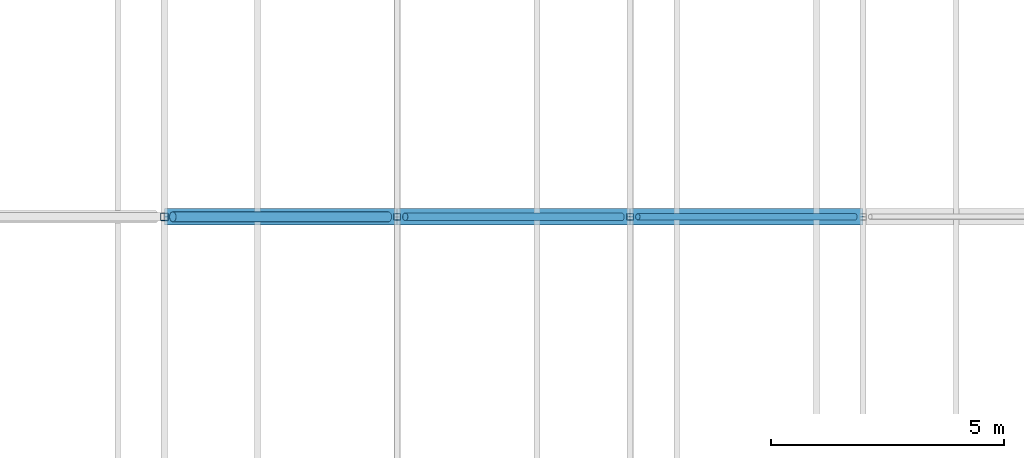
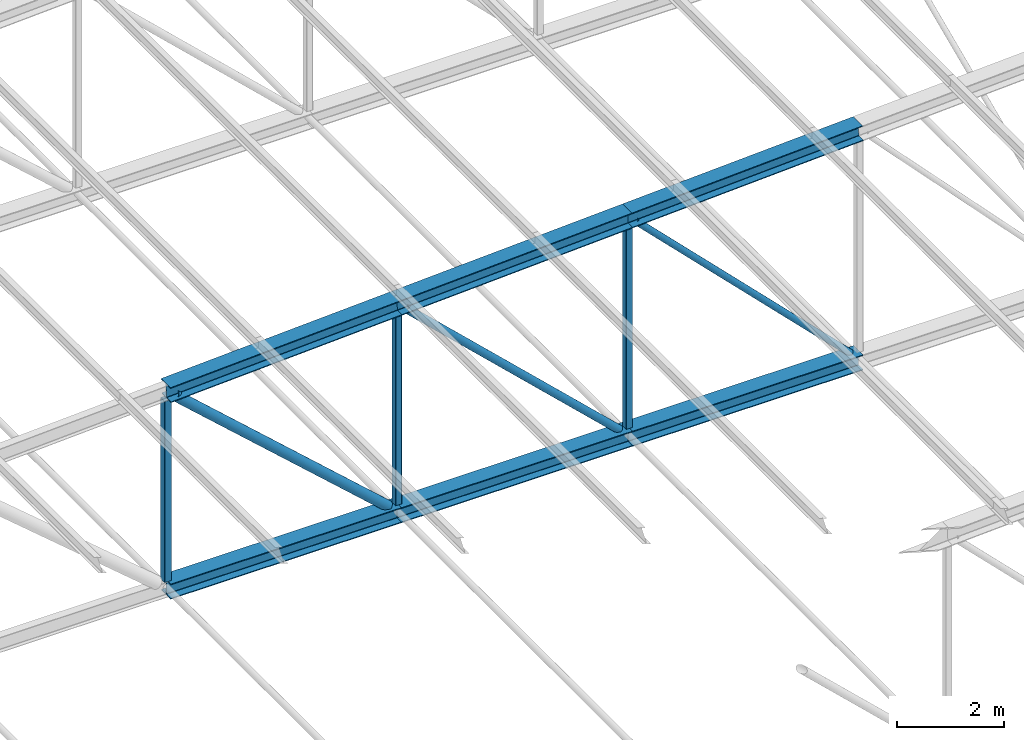
# One storey, part 28 of 156: 12 members.
"""IFC4 building model written with IfcOpenShell, lengths in metres."""

import ifcopenshell
import ifcopenshell.guid

model = None  # the IFC model being written
_history = None  # IfcOwnerHistory: only IFC2X3 demands one
_inside = {}  # id of a spatial element -> (the spatial element, [elements in it])
_under = {}  # id of a project, library or spatial element -> (it, [spatial elements below it])
_declared = {}  # id of a project -> (the project, [libraries it declares])
_typed = {}  # id of a type object -> (the type object, [elements of that type])
_made_of = {}  # id of a material, layer set ... -> (it, [elements and type objects made of it])


def new_model(schema):
    """Start an empty IFC model of exactly this schema.

    Asked for "IFC4X3", IfcOpenShell would pick the latest addendum, in which some entities
    have other attributes; the version numbers below select the first issue.
    IFC2X3 requires an IfcOwnerHistory on every rooted entity: one is made here for all.
    """
    global model, _history
    if schema == "IFC4X3":
        model = ifcopenshell.file(schema_version=(4, 3, 0, 0))
    else:
        model = ifcopenshell.file(schema=schema)
    _inside.clear()
    _under.clear()
    _declared.clear()
    _typed.clear()
    _made_of.clear()
    _history = None
    if model.schema == "IFC2X3":
        org = make("IfcOrganization", Name="unknown")
        user = make(
            "IfcPersonAndOrganization",
            ThePerson=make("IfcPerson", FamilyName="unknown"),
            TheOrganization=org,
        )
        app = make(
            "IfcApplication",
            ApplicationDeveloper=org,
            Version="unknown",
            ApplicationFullName="unknown",
            ApplicationIdentifier="unknown",
        )
        _history = make(
            "IfcOwnerHistory",
            OwningUser=user,
            OwningApplication=app,
            ChangeAction="ADDED",
            CreationDate=0,
        )
    return model


def make(cls, **values):
    """One entity of the class cls with the attributes given. An attribute that is None is left unset."""
    return model.create_entity(
        cls, **{name: value for name, value in values.items() if value is not None}
    )


def rooted(cls, **values):
    """An entity with a GlobalId (a new one), such as an element, a storey or a relation."""
    return make(cls, GlobalId=ifcopenshell.guid.new(), OwnerHistory=_history, **values)


def si_unit(unit_type, name, prefix=None):
    """IfcSIUnit, for example si_unit("LENGTHUNIT", "METRE", prefix="MILLI")."""
    return make("IfcSIUnit", UnitType=unit_type, Prefix=prefix, Name=name)


def assignment(units):
    """IfcUnitAssignment: the units of a project."""
    return None if units is None else make("IfcUnitAssignment", Units=units)


def point(xyz):
    """IfcCartesianPoint."""
    return None if xyz is None else make("IfcCartesianPoint", Coordinates=xyz)


def direction(xyz):
    """IfcDirection."""
    return None if xyz is None else make("IfcDirection", DirectionRatios=xyz)


def frame(location, z_axis=None, x_axis=None):
    """IfcAxis2Placement3D, a coordinate frame: its origin and axes. An axis left out is left unset."""
    return make(
        "IfcAxis2Placement3D",
        Location=point(location),
        Axis=direction(z_axis),
        RefDirection=direction(x_axis),
    )


def frame_2d(location, x_axis=None):
    """IfcAxis2Placement2D, a coordinate frame in the plane: its origin and x axis."""
    return make(
        "IfcAxis2Placement2D", Location=point(location), RefDirection=direction(x_axis)
    )


def origin():
    """The frame at (0, 0, 0) with its axes left unset."""
    return frame((0.0, 0.0, 0.0))


def origin_2d():
    """The frame at (0, 0) in the plane with its x axis left unset."""
    return frame_2d((0.0, 0.0))


def place(relative_to, where):
    """IfcLocalPlacement: puts the frame where relative to a parent placement (None: the world)."""
    return make(
        "IfcLocalPlacement", PlacementRelTo=relative_to, RelativePlacement=where
    )


def context(
    kind, dimensions, precision=None, world=None, true_north=None, identifier=None
):
    """IfcGeometricRepresentationContext, for example the 3D "Model" context."""
    return make(
        "IfcGeometricRepresentationContext",
        ContextIdentifier=identifier,
        ContextType=kind,
        CoordinateSpaceDimension=dimensions,
        Precision=precision,
        WorldCoordinateSystem=world,
        TrueNorth=true_north,
    )


def subcontext(parent, identifier, kind, view, scale=None):
    """IfcGeometricRepresentationSubContext, for example "Body" below "Model"."""
    return make(
        "IfcGeometricRepresentationSubContext",
        ContextIdentifier=identifier,
        ContextType=kind,
        ParentContext=parent,
        TargetScale=scale,
        TargetView=view,
    )


def project(units=None, contexts=None):
    """IfcProject with its units and contexts."""
    return rooted(
        "IfcProject",
        Name="project",
        RepresentationContexts=contexts,
        UnitsInContext=assignment(units),
    )


def spatial(cls, under=None, at=None, **own):
    """A site, building, storey or space (cls), placed at a placement, below another one or the project."""
    s = rooted(cls, ObjectPlacement=at, **own)
    if under is not None:
        _under.setdefault(under.id(), (under, []))[1].append(s)
    return s


def profile(cls, at=None, kind="AREA", **sizes):
    """A parametric profile (cls). Its sizes go by their IFC names, for example OverallWidth=200.0."""
    return make(cls, ProfileType=kind, Position=at, **sizes)


def hollow_rectangle(**sizes):
    """IfcRectangleHollowProfileDef."""
    return profile("IfcRectangleHollowProfileDef", **sizes)


def hollow_circle(**sizes):
    """IfcCircleHollowProfileDef."""
    return profile("IfcCircleHollowProfileDef", **sizes)


def i_section(**sizes):
    """IfcIShapeProfileDef."""
    return profile("IfcIShapeProfileDef", **sizes)


def extrude(swept, where, along, depth):
    """IfcExtrudedAreaSolid: the profile swept, set in the frame where, extruded along a direction by depth."""
    return make(
        "IfcExtrudedAreaSolid",
        SweptArea=swept,
        Position=where,
        ExtrudedDirection=direction(along),
        Depth=depth,
    )


def shape(context_of_items, identifier, shape_type, items):
    """IfcShapeRepresentation: the items that make up one representation, for example the "Body"."""
    return make(
        "IfcShapeRepresentation",
        ContextOfItems=context_of_items,
        RepresentationIdentifier=identifier,
        RepresentationType=shape_type,
        Items=items,
    )


def material(Name=None, Category=None):
    """IfcMaterial."""
    return make("IfcMaterial", Name=Name, Category=Category)


def material_profile(
    of_material, cross_section, Name=None, Category=None, Priority=None
):
    """IfcMaterialProfile: a cross section and its material."""
    return make(
        "IfcMaterialProfile",
        Name=Name,
        Material=of_material,
        Profile=cross_section,
        Priority=Priority,
        Category=Category,
    )


def profile_set(profiles, Name=None, composite=None):
    """IfcMaterialProfileSet."""
    return make(
        "IfcMaterialProfileSet",
        Name=Name,
        MaterialProfiles=profiles,
        CompositeProfile=composite,
    )


def made_of(thing, what):
    """Note that an element or type object is made of a material, layer set ...; save() writes the relation."""
    if what is not None:
        _made_of.setdefault(what.id(), (what, []))[1].append(thing)
    return thing


def type_object(cls, material=None, **own):
    """A type object (cls), such as IfcWallType, which elements share."""
    return made_of(rooted(cls, **own), material)


def element(
    cls,
    number,
    at=None,
    inside=None,
    cuts=None,
    type_object=None,
    material=None,
    context=None,
    identifier="Body",
    shape_type=None,
    held_by="IfcProductDefinitionShape",
    body=None,
    shapes=None,
    **own,
):
    """One element of the class cls, such as IfcWall. Its Tag is "e" and its number.

    at: its placement. inside: the storey or other place that contains it. cuts: it is an
    opening in that element (IfcRelVoidsElement). A single representation is given by context,
    identifier, shape_type and body (its items); several are given by shapes. held_by: the class
    of the entity that holds the representations. save() writes the other relations.
    """
    e = rooted(cls, Tag="e%d" % number, ObjectPlacement=at, **own)
    if body is not None:
        shapes = [shape(context, identifier, shape_type, body)]
    if shapes is not None:
        e.Representation = make(held_by, Representations=shapes)
    if inside is not None:
        _inside.setdefault(inside.id(), (inside, []))[1].append(e)
    if cuts is not None:
        rooted(
            "IfcRelVoidsElement", RelatingBuildingElement=cuts, RelatedOpeningElement=e
        )
    if type_object is not None:
        _typed.setdefault(type_object.id(), (type_object, []))[1].append(e)
    return made_of(e, material)


def aggregate(whole, parts):
    """IfcRelAggregates: a whole, such as a stair, and the parts it consists of."""
    return rooted("IfcRelAggregates", RelatingObject=whole, RelatedObjects=parts)


def save(model, path):
    """Write the relations noted so far, then the file.

    IfcRelAggregates (storeys below a building ...), IfcRelContainedInSpatialStructure (elements
    in a storey), IfcRelDefinesByType, IfcRelAssociatesMaterial and IfcRelDeclares: one each for
    every whole, place, type object, material and project.
    """
    for whole, parts in _under.values():
        aggregate(whole, parts)
    for where, things in _inside.values():
        rooted(
            "IfcRelContainedInSpatialStructure",
            RelatedElements=things,
            RelatingStructure=where,
        )
    for kind, things in _typed.values():
        rooted("IfcRelDefinesByType", RelatedObjects=things, RelatingType=kind)
    for what, things in _made_of.values():
        rooted("IfcRelAssociatesMaterial", RelatedObjects=things, RelatingMaterial=what)
    for by, libraries in _declared.values():
        rooted("IfcRelDeclares", RelatingContext=by, RelatedDefinitions=libraries)
    model.write(path)


model = new_model("IFC4")

# Units and contexts
model_context = context("Model", 3, precision=1e-05, world=origin(), true_north=direction((0.0, 1.0)))
body_context = subcontext(model_context, "Body", "Model", "MODEL_VIEW")
ifc_project = project(units=[si_unit("LENGTHUNIT", "METRE"), si_unit("AREAUNIT", "SQUARE_METRE"), si_unit("VOLUMEUNIT", "CUBIC_METRE"), si_unit("PLANEANGLEUNIT", "RADIAN"), si_unit("MASSUNIT", "GRAM", prefix="KILO")], contexts=[model_context])

# Site, building, storey
site_placement = place(None, origin())
site = spatial("IfcSite", under=ifc_project, at=site_placement, CompositionType="ELEMENT")
building_placement = place(site_placement, origin())
building = spatial("IfcBuilding", under=site, at=building_placement, Name="Lilac Gate Convention Centre", CompositionType="ELEMENT")
storey_placement = place(building_placement, frame((0.0, 0.0, 17.0)))
storey = spatial("IfcBuildingStorey", under=building, at=storey_placement, Name="L03", CompositionType="ELEMENT", Elevation=17.0)

# Members
ifc_material = material(Name="Steel Q355B", Category="steel")
ifc_material_profile_1 = material_profile(ifc_material, i_section(OverallWidth=0.35009765625, OverallDepth=0.35009765625, WebThickness=0.011962890625, FlangeThickness=0.01904296875, FilletRadius=0.012939453125, at=origin_2d()), Name="HW350x350x12x19")
ifc_profile_set_1 = profile_set([ifc_material_profile_1], Name="Steel Q355B")
member_type_1 = type_object("IfcMemberType", Name="Truss bottom chord HW350x350x12x19", PredefinedType="CHORD", material=ifc_profile_set_1)
for number, where, z_axis, x_axis, name in (
    (1, (40.0, 66.0, 0.0), (1.0, 0.0, 0.0), (0.0, 1.0, 0.0), "TB2 truss 4 bottom chord 3"),
    (2, (45.0, 66.0, 0.0), (1.0, 0.0, 0.0), (0.0, 1.0, 0.0), "TB2 truss 4 bottom chord 4"),
):
    element("IfcMember", number, at=place(storey_placement, frame(where, z_axis=z_axis, x_axis=x_axis)), inside=storey, type_object=member_type_1, Name=name, PredefinedType="CHORD", context=body_context, shape_type="SweptSolid", body=[
        extrude(i_section(OverallWidth=0.35009765625, OverallDepth=0.35009765625, WebThickness=0.011962890625, FlangeThickness=0.01904296875, FilletRadius=0.012939453125, at=origin_2d()), origin(), (0.0, 0.0, 1.0), 5.0),
    ])
ifc_material_profile_2 = material_profile(ifc_material, i_section(OverallWidth=0.35693359375, OverallDepth=0.35009765625, WebThickness=0.01904296875, FlangeThickness=0.01904296875, FilletRadius=0.012939453125, at=origin_2d()), Name="HW350x357x19x19")
ifc_profile_set_2 = profile_set([ifc_material_profile_2], Name="Steel Q355B")
member_type_2 = type_object("IfcMemberType", Name="Truss bottom chord HW350x357x19x19", PredefinedType="CHORD", material=ifc_profile_set_2)
member_1_placement = place(storey_placement, frame((50.0, 66.0, 0.0), z_axis=(1.0, 0.0, 0.0), x_axis=(0.0, 1.0, 0.0)))
element("IfcMember", 3, at=member_1_placement, inside=storey, type_object=member_type_2, Name="TB3 truss 4 bottom chord 5", PredefinedType="CHORD", context=body_context, shape_type="SweptSolid", body=[
    extrude(i_section(OverallWidth=0.35693359375, OverallDepth=0.35009765625, WebThickness=0.01904296875, FlangeThickness=0.01904296875, FilletRadius=0.012939453125, at=origin_2d()), origin(), (0.0, 0.0, 1.0), 5.0),
])
ifc_material_profile_3 = material_profile(ifc_material, hollow_circle(Radius=0.06982421875, WallThickness=0.006103515625, at=origin_2d()), Name="CHS139.7x6")
ifc_profile_set_3 = profile_set([ifc_material_profile_3], Name="Steel Q355B")
member_type_3 = type_object("IfcMemberType", Name="Truss diagonal CHS139.7x6", PredefinedType="BRACE", material=ifc_profile_set_3)
member_2_placement = place(storey_placement, frame((50.164306640625, 66.0, 4.835693359375), z_axis=(0.707106781187, 0.0, -0.707106781187), x_axis=(0.0, 1.0, 0.0)))
element("IfcMember", 4, at=member_2_placement, inside=storey, type_object=member_type_3, Name="TW5 truss 4 diagonal 5", PredefinedType="BRACE", context=body_context, shape_type="SweptSolid", body=[
    extrude(hollow_circle(Radius=0.06982421875, WallThickness=0.006103515625, at=origin_2d()), origin(), (0.0, 0.0, 1.0), 6.591064453125),
])
ifc_material_profile_4 = material_profile(ifc_material, hollow_circle(Radius=0.084228515625, WallThickness=0.006103515625, at=origin_2d()), Name="CHS168.3x6")
ifc_profile_set_4 = profile_set([ifc_material_profile_4], Name="Steel Q355B")
member_type_4 = type_object("IfcMemberType", Name="Truss diagonal CHS168.3x6", PredefinedType="BRACE", material=ifc_profile_set_4)
member_3_placement = place(storey_placement, frame((45.1728515625, 66.0, 4.585693359375), z_axis=(0.725020373275, 0.0, -0.688727419475), x_axis=(0.0, 1.0, 0.0)))
element("IfcMember", 5, at=member_3_placement, inside=storey, type_object=member_type_4, Name="TW4 truss 4 diagonal 4", PredefinedType="BRACE", context=body_context, shape_type="SweptSolid", body=[
    extrude(hollow_circle(Radius=0.084228515625, WallThickness=0.006103515625, at=origin_2d()), origin(), (0.0, 0.0, 1.0), 6.404052734375),
])
ifc_material_profile_5 = material_profile(ifc_material, hollow_circle(Radius=0.109619140625, WallThickness=0.008056640625, at=origin_2d()), Name="CHS219.1x8")
ifc_profile_set_5 = profile_set([ifc_material_profile_5], Name="Steel Q355B")
member_type_5 = type_object("IfcMemberType", Name="Truss diagonal CHS219.1x8", PredefinedType="BRACE", material=ifc_profile_set_5)
member_4_placement = place(storey_placement, frame((40.1826171875, 66.0, 4.335693359375), z_axis=(0.743301953498, 0.0, -0.668956056797), x_axis=(0.0, 1.0, 0.0)))
element("IfcMember", 6, at=member_4_placement, inside=storey, type_object=member_type_5, Name="TW3 truss 4 diagonal 3", PredefinedType="BRACE", context=body_context, shape_type="SweptSolid", body=[
    extrude(hollow_circle(Radius=0.109619140625, WallThickness=0.008056640625, at=origin_2d()), origin(), (0.0, 0.0, 1.0), 6.2197265625),
])
ifc_material_profile_6 = material_profile(ifc_material, i_section(OverallWidth=0.35009765625, OverallDepth=0.35009765625, WebThickness=0.011962890625, FlangeThickness=0.01904296875, FilletRadius=0.012939453125, at=origin_2d()), Name="HW350x350x12x19")
ifc_profile_set_6 = profile_set([ifc_material_profile_6], Name="Steel Q355B")
member_type_6 = type_object("IfcMemberType", Name="Truss top chord HW350x350x12x19", PredefinedType="CHORD", material=ifc_profile_set_6)
for number, where, z_axis, x_axis, name in (
    (7, (40.0, 66.0, 4.5), (0.998752338878, 0.0, 0.049937616944), (0.0, 1.0, 0.0), "TT2 truss 4 top chord 3"),
    (8, (45.0, 66.0, 4.75), (0.998752338878, 0.0, 0.049937616944), (0.0, 1.0, 0.0), "TT2 truss 4 top chord 4"),
    (9, (50.0, 66.0, 5.0), (0.998752338878, 0.0, 0.049937616944), (0.0, 1.0, 0.0), "TT2 truss 4 top chord 5"),
):
    element("IfcMember", number, at=place(storey_placement, frame(where, z_axis=z_axis, x_axis=x_axis)), inside=storey, type_object=member_type_6, Name=name, PredefinedType="CHORD", context=body_context, shape_type="SweptSolid", body=[
        extrude(i_section(OverallWidth=0.35009765625, OverallDepth=0.35009765625, WebThickness=0.011962890625, FlangeThickness=0.01904296875, FilletRadius=0.012939453125, at=origin_2d()), origin(), (0.0, 0.0, 1.0), 5.00634765625),
    ])
ifc_material_profile_7 = material_profile(ifc_material, hollow_rectangle(XDim=0.139892578125, YDim=0.139892578125, WallThickness=0.0048828125, InnerFilletRadius=0.0048828125, OuterFilletRadius=0.010009765625, at=origin_2d()), Name="SHS140x140x5")
ifc_profile_set_7 = profile_set([ifc_material_profile_7], Name="Steel Q355B")
member_type_7 = type_object("IfcMemberType", Name="Truss vertical SHS140x140x5", PredefinedType="STRUT", material=ifc_profile_set_7)
member_5_placement = place(storey_placement, frame((45.0, 66.0, 0.175048828125), z_axis=(0.0, 0.0, 1.0), x_axis=(1.0, 0.0, 0.0)))
element("IfcMember", 10, at=member_5_placement, inside=storey, type_object=member_type_7, Name="TV4 truss 4 vertical 4", PredefinedType="STRUT", context=body_context, shape_type="SweptSolid", body=[
    extrude(hollow_rectangle(XDim=0.139892578125, YDim=0.139892578125, WallThickness=0.0048828125, InnerFilletRadius=0.0048828125, OuterFilletRadius=0.010009765625, at=origin_2d()), origin(), (0.0, 0.0, 1.0), 4.399658203125),
])
member_6_placement = place(storey_placement, frame((50.0, 66.0, 0.175048828125), z_axis=(0.0, 0.0, 1.0), x_axis=(1.0, 0.0, 0.0)))
element("IfcMember", 11, at=member_6_placement, inside=storey, type_object=member_type_7, Name="TV4 truss 4 vertical 5", PredefinedType="STRUT", context=body_context, shape_type="SweptSolid", body=[
    extrude(hollow_rectangle(XDim=0.139892578125, YDim=0.139892578125, WallThickness=0.0048828125, InnerFilletRadius=0.0048828125, OuterFilletRadius=0.010009765625, at=origin_2d()), origin(), (0.0, 0.0, 1.0), 4.649658203125),
])
ifc_material_profile_8 = material_profile(ifc_material, hollow_rectangle(XDim=0.159912109375, YDim=0.159912109375, WallThickness=0.006103515625, InnerFilletRadius=0.006103515625, OuterFilletRadius=0.011962890625, at=origin_2d()), Name="SHS160x160x6")
ifc_profile_set_8 = profile_set([ifc_material_profile_8], Name="Steel Q355B")
member_type_8 = type_object("IfcMemberType", Name="Truss vertical SHS160x160x6", PredefinedType="STRUT", material=ifc_profile_set_8)
member_7_placement = place(storey_placement, frame((40.0, 66.0, 0.175048828125), z_axis=(0.0, 0.0, 1.0), x_axis=(1.0, 0.0, 0.0)))
element("IfcMember", 12, at=member_7_placement, inside=storey, type_object=member_type_8, Name="TV3 truss 4 vertical 3", PredefinedType="STRUT", context=body_context, shape_type="SweptSolid", body=[
    extrude(hollow_rectangle(XDim=0.159912109375, YDim=0.159912109375, WallThickness=0.006103515625, InnerFilletRadius=0.006103515625, OuterFilletRadius=0.011962890625, at=origin_2d()), origin(), (0.0, 0.0, 1.0), 4.149658203125),
])

save(model, "model.ifc")
